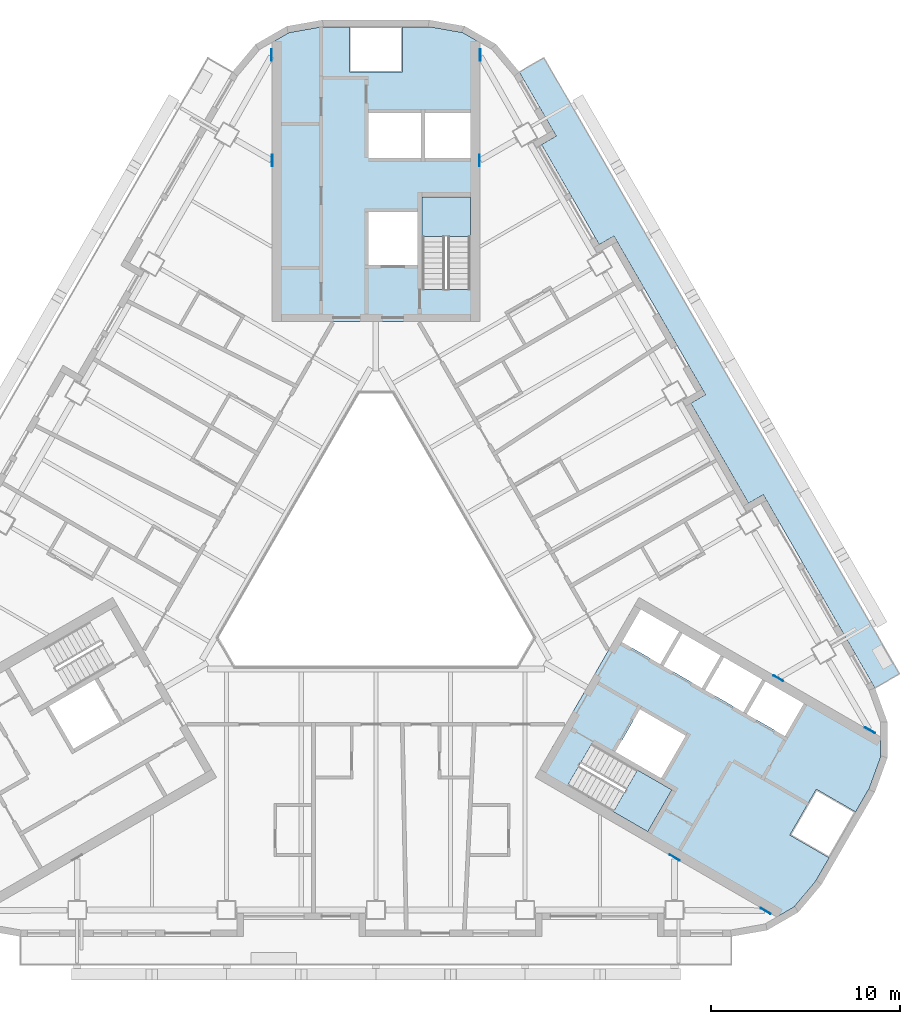
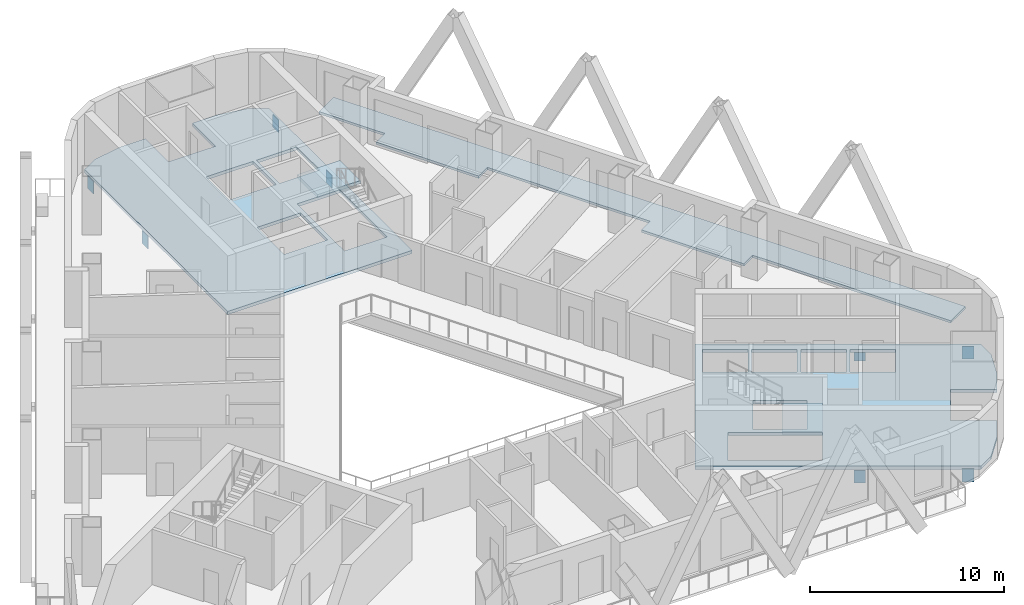
# One storey, part 4 of 17: 8 plates, 5 slabs, 2 elements without a shape of their own.
"""IFC4 building model written with IfcOpenShell, lengths in metres."""

from ifc_helpers import new_model, si_unit, direction, frame, origin, origin_2d, place, context, subcontext, project, spatial, polyline, rectangle, outline, extrude, material, layer, layer_set, type_object, element, aggregate, save


model = new_model("IFC4")

# Units and contexts
model_context = context("Model", 3, precision=1e-05, world=origin(), true_north=direction((0.0, 1.0)))
body_context = subcontext(model_context, "Body", "Model", "MODEL_VIEW")
ifc_project = project(units=[si_unit("LENGTHUNIT", "METRE"), si_unit("AREAUNIT", "SQUARE_METRE"), si_unit("VOLUMEUNIT", "CUBIC_METRE"), si_unit("PLANEANGLEUNIT", "RADIAN"), si_unit("MASSUNIT", "GRAM", prefix="KILO")], contexts=[model_context])

# Site, building, storey
site_placement = place(None, origin())
site = spatial("IfcSite", under=ifc_project, at=site_placement, CompositionType="ELEMENT")
building_placement = place(site_placement, origin())
building = spatial("IfcBuilding", under=site, at=building_placement, Name="Apuvela Tower Hotel", CompositionType="ELEMENT")
storey_placement = place(building_placement, frame((0.0, 0.0, 46.5)))
storey = spatial("IfcBuildingStorey", under=building, at=storey_placement, Name="L08", CompositionType="ELEMENT", Elevation=46.5)

# Slabs
ifc_material_1 = material(Name="Concrete C50/60", Category="concrete")
ifc_layer_1 = layer(ifc_material_1, 0.199951171875)
ifc_layer_set_1 = layer_set([ifc_layer_1], Name="COR-FLOOR-200")
slab_type_1 = type_object("IfcSlabType", Name="COR-FLOOR-200", PredefinedType="FLOOR", material=ifc_layer_set_1)
slab_1_placement = place(storey_placement, frame((0.0, 0.0, -0.199951171875)))
element("IfcSlab", 1, at=slab_1_placement, inside=storey, type_object=slab_type_1, Name="Core floor N", PredefinedType="FLOOR", context=body_context, shape_type="SweptSolid", body=[
    extrude(outline(polyline([(5.5, 27.668212890625), (4.588623046875, 28.1943359375), (2.85498046875, 28.5), (1.39990234375, 28.5), (1.39990234375, 26.10009765625), (-1.39990234375, 26.10009765625), (-1.39990234375, 28.5), (-2.85498046875, 28.5), (-4.588623046875, 28.1943359375), (-5.5, 27.668212890625), (-5.5, 12.89990234375), (5.5, 12.89990234375), (5.5, 27.668212890625)]), holes=[polyline([(5.0, 14.60595703125), (2.449951171875, 14.60595703125), (2.449951171875, 19.5), (5.0, 19.5), (5.0, 14.60595703125)]), polyline([(2.199951171875, 15.89990234375), (-0.39990234375, 15.89990234375), (-0.39990234375, 18.699951171875), (2.199951171875, 18.699951171875), (2.199951171875, 15.89990234375)]), polyline([(5.0, 21.550048828125), (2.60009765625, 21.550048828125), (2.60009765625, 23.949951171875), (5.0, 23.949951171875), (5.0, 21.550048828125)]), polyline([(2.39990234375, 21.550048828125), (-0.39990234375, 21.550048828125), (-0.39990234375, 23.949951171875), (2.39990234375, 23.949951171875), (2.39990234375, 21.550048828125)])]), origin(), (0.0, 0.0, 1.0), 0.199951171875),
])
slab_2_placement = place(storey_placement, frame((0.0, 0.0, -0.199951171875)))
element("IfcSlab", 2, at=slab_2_placement, inside=storey, type_object=slab_type_1, Name="Core floor SE", PredefinedType="FLOOR", context=body_context, shape_type="SweptSolid", body=[
    extrude(outline(polyline([(21.211181640625, -18.59716796875), (22.122802734375, -18.071044921875), (23.254150390625, -16.72265625), (23.981689453125, -15.46240234375), (21.9033203125, -14.262451171875), (23.30322265625, -11.837646484375), (25.381591796875, -13.03759765625), (26.109375, -11.77734375), (26.711181640625, -10.123291015625), (26.711181640625, -9.07080078125), (13.921630859375, -1.68701171875), (8.421630859375, -11.213134765625), (21.211181640625, -18.59716796875)]), holes=[polyline([(13.01806640625, -4.052001953125), (14.01806640625, -2.31982421875), (16.044677734375, -3.489990234375), (15.044677734375, -5.221923828125), (13.01806640625, -4.052001953125)]), polyline([(17.244384765625, -6.491943359375), (15.2177734375, -5.322021484375), (16.2177734375, -3.58984375), (18.244384765625, -4.760009765625), (17.244384765625, -6.491943359375)]), polyline([(14.387451171875, -14.080078125), (10.149169921875, -11.633056640625), (11.42431640625, -9.4248046875), (15.66259765625, -11.871826171875), (14.387451171875, -14.080078125)]), polyline([(12.669921875, -9.855224609375), (13.9697265625, -7.603515625), (16.394775390625, -9.003662109375), (15.0947265625, -11.25537109375), (12.669921875, -9.855224609375)]), polyline([(19.444091796875, -7.761962890625), (17.41748046875, -6.591796875), (18.41748046875, -4.85986328125), (20.444091796875, -6.02978515625), (19.444091796875, -7.761962890625)]), polyline([(21.643798828125, -9.031982421875), (19.6171875, -7.86181640625), (20.6171875, -6.1298828125), (22.643798828125, -7.2998046875), (21.643798828125, -9.031982421875)])]), origin(), (0.0, 0.0, 1.0), 0.199951171875),
])

# Stair, slab
stair_type = type_object("IfcStairType", Name="COR-STAIR-22R", PredefinedType="HALF_TURN_STAIR", material=ifc_material_1)
stair_1_placement = place(storey_placement, origin())
stair_1 = element("IfcStair", 3, at=stair_1_placement, inside=storey, type_object=stair_type, Name="L08 Exit stair ST1", PredefinedType="HALF_TURN_STAIR")
ifc_layer_2 = layer(ifc_material_1, 0.199951171875)
ifc_layer_set_2 = layer_set([ifc_layer_2], Name="COR-LANDING-200")
slab_type_2 = type_object("IfcSlabType", Name="COR-LANDING-200", PredefinedType="LANDING", material=ifc_layer_set_2)
slab_3_placement = place(storey_placement, frame((0.0, 0.0, 1.64990234375)))
slab_3 = element("IfcSlab", 4, at=slab_3_placement, type_object=slab_type_2, Name="ST1 landing 1", PredefinedType="LANDING", context=body_context, shape_type="SweptSolid", body=[
    extrude(outline(polyline([(5.0, 17.39404296875), (5.0, 19.5), (2.449951171875, 19.5), (2.449951171875, 17.39404296875), (5.0, 17.39404296875)])), origin(), (0.0, 0.0, 1.0), 0.2001953125),
])
aggregate(stair_1, [slab_3])

stair_2_placement = place(storey_placement, origin())
stair_2 = element("IfcStair", 5, at=stair_2_placement, inside=storey, type_object=stair_type, Name="L08 Exit stair ST3", PredefinedType="HALF_TURN_STAIR")
slab_4_placement = place(storey_placement, frame((0.0, 0.0, 1.64990234375)))
slab_4 = element("IfcSlab", 6, at=slab_4_placement, type_object=slab_type_2, Name="ST3 landing 1", PredefinedType="LANDING", context=body_context, shape_type="SweptSolid", body=[
    extrude(outline(polyline([(12.563720703125, -13.027099609375), (14.387451171875, -14.080078125), (15.66259765625, -11.871826171875), (13.838623046875, -10.81884765625), (12.563720703125, -13.027099609375)])), origin(), (0.0, 0.0, 1.0), 0.2001953125),
])
aggregate(stair_2, [slab_4])

# Slab
ifc_material_2 = material(Name="Concrete C40/50, fair-faced", Category="concrete")
ifc_layer_3 = layer(ifc_material_2, 0.14990234375)
ifc_layer_set_3 = layer_set([ifc_layer_3], Name="ENV-BALCONY-150")
slab_type_3 = type_object("IfcSlabType", Name="ENV-BALCONY-150", PredefinedType="FLOOR", material=ifc_layer_set_3)
slab_5_placement = place(storey_placement, frame((0.0, 0.0, -0.14990234375)))
element("IfcSlab", 7, at=slab_5_placement, inside=storey, type_object=slab_type_3, Name="Balcony slab NE L08", PredefinedType="FLOOR", context=body_context, shape_type="SweptSolid", body=[
    extrude(outline(polyline([(17.443359375, 9.037353515625), (12.598388671875, 17.42919921875), (11.81884765625, 16.979248046875), (8.763916015625, 22.2705078125), (9.543212890625, 22.720703125), (7.585205078125, 26.11181640625), (8.89306640625, 26.86669921875), (27.7138671875, -5.731689453125), (26.40625, -6.48681640625), (20.498291015625, 3.74609375), (19.71875, 3.2958984375), (16.663818359375, 8.58740234375), (17.443359375, 9.037353515625)])), origin(), (0.0, 0.0, 1.0), 0.14990234375),
])

# Plates
ifc_material_3 = material(Name="Steel S355", Category="steel")
ifc_layer_4 = layer(ifc_material_3, 0.0400390625)
ifc_layer_set_4 = layer_set([ifc_layer_4], Name="STR-CP 40 Steel S355")
plate_type = type_object("IfcPlateType", Name="STR-CP 40 Steel S355", PredefinedType="SHEET", material=ifc_layer_set_4)
for number, where, z_axis, x_axis, name in (
    (8, (20.622802734375, -18.280517578125, -0.95703125), (0.0, 0.0, 1.0), (-0.5, -0.866025403784, 0.0), "Cast-in plate CP-T0-14 40"),
    (9, (26.142578125, -8.719482421875, -0.95703125), (0.0, 0.0, 1.0), (0.5, 0.866025403784, 0.0), "Cast-in plate CP-T0-15 40"),
    (10, (5.52001953125, 27.0, -0.95703125), (0.0, 0.0, 1.0), (1.0, 0.0, 0.0), "Cast-in plate CP-T0-16 40"),
    (11, (-5.52001953125, 27.0, -0.95703125), (0.0, 0.0, 1.0), (-1.0, 0.0, 0.0), "Cast-in plate CP-T0-17 40"),
    (12, (21.2900390625, -5.964111328125, -1.05419921875), (0.0, 0.0, 1.0), (-0.5, -0.866025403784, 0.0), "Cast-in plate CP-T0-19 40"),
    (13, (5.47998046875, 21.419677734375, -1.05419921875), (0.0, 0.0, 1.0), (-1.0, 0.0, 0.0), "Cast-in plate CP-T0-20 40"),
    (14, (-5.47998046875, 21.419677734375, -1.05419921875), (0.0, 0.0, 1.0), (1.0, 0.0, 0.0), "Cast-in plate CP-T0-21 40"),
    (15, (15.81005859375, -15.455810546875, -1.05419921875), (0.0, 0.0, 1.0), (0.5, 0.866025403784, 0.0), "Cast-in plate CP-T0-24 40"),
):
    element("IfcPlate", number, at=place(storey_placement, frame(where, z_axis=z_axis, x_axis=x_axis)), inside=storey, type_object=plate_type, Name=name, PredefinedType="SHEET", context=body_context, shape_type="SweptSolid", body=[
        extrude(rectangle(XDim=0.0400390625, YDim=0.60009765625, at=origin_2d()), origin(), (0.0, 0.0, 1.0), 0.800048828125),
    ])

save(model, "model.ifc")
